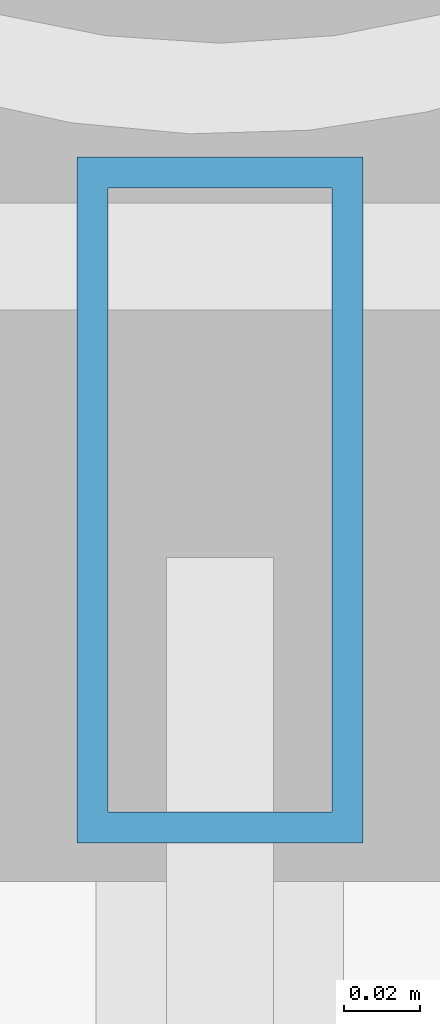
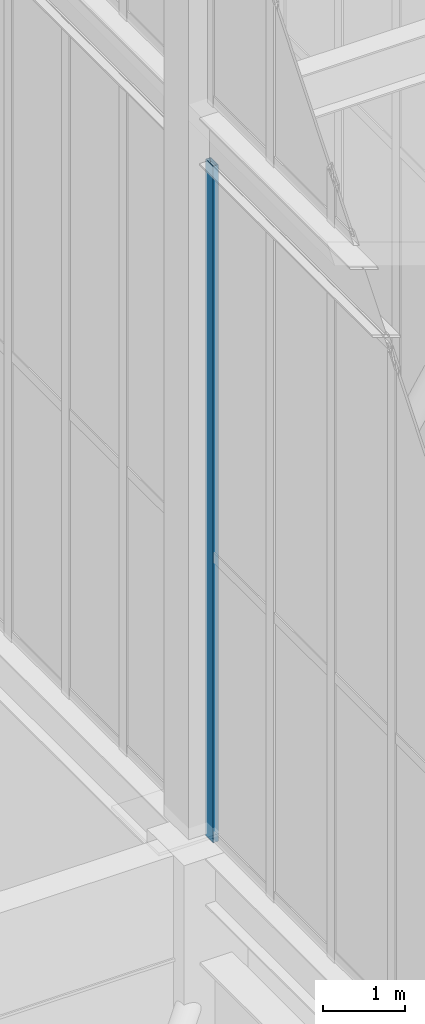
# One storey, part 78 of 135: 1 member, 1 element without a shape of its own.
"""IFC4 building model written with IfcOpenShell, lengths in metres."""

from ifc_helpers import new_model, si_unit, direction, frame, origin, origin_2d, place, context, subcontext, project, spatial, hollow_rectangle, extrude, source, transform, mapped, material, layer, layer_set, material_profile, profile_set, type_object, element, aggregate, save


model = new_model("IFC4")

# Units and contexts
model_context = context("Model", 3, precision=1e-05, world=origin(), true_north=direction((0.0, 1.0)))
body_context = subcontext(model_context, "Body", "Model", "MODEL_VIEW")
ifc_project = project(units=[si_unit("LENGTHUNIT", "METRE"), si_unit("AREAUNIT", "SQUARE_METRE"), si_unit("VOLUMEUNIT", "CUBIC_METRE"), si_unit("PLANEANGLEUNIT", "RADIAN"), si_unit("MASSUNIT", "GRAM", prefix="KILO")], contexts=[model_context])

# Site, building, storey
site_placement = place(None, origin())
site = spatial("IfcSite", under=ifc_project, at=site_placement, CompositionType="ELEMENT")
building_placement = place(site_placement, origin())
building = spatial("IfcBuilding", under=site, at=building_placement, Name="Giltprow Tower", CompositionType="ELEMENT")
storey_placement = place(building_placement, frame((0.0, 0.0, 352.699951171875)))
storey = spatial("IfcBuildingStorey", under=building, at=storey_placement, Name="L92", CompositionType="ELEMENT", Elevation=352.699951171875)

# Curtain wall, member
ifc_material = material(Name="Anodized bronze", Category="metal")
ifc_layer = layer(ifc_material, 0.179931640625, Name="Anodized bronze")
ifc_layer_set = layer_set([ifc_layer], Name="Anodized bronze")
curtain_wall_type = type_object("IfcCurtainWallType", Name="CW-CROWN-LANTERN", PredefinedType="NOTDEFINED", material=ifc_layer_set)
curtain_wall_placement = place(storey_placement, origin())
curtain_wall = element("IfcCurtainWall", 1, at=curtain_wall_placement, inside=storey, type_object=curtain_wall_type, Name="Crown East Lower Lantern Glazing 6", PredefinedType="NOTDEFINED")
ifc_material_profile = material_profile(ifc_material, hollow_rectangle(XDim=0.074951171875, YDim=0.179931640625, WallThickness=0.008056640625, at=origin_2d()), Name="RHS 180x75x8")
ifc_profile_set = profile_set([ifc_material_profile], Name="Anodized bronze")
member_type = type_object("IfcMemberType", Name="CW-MULLION-180x75", PredefinedType="MULLION", material=ifc_profile_set)
shared_shape = source(origin(), body_context, "Body", "SweptSolid", [
    extrude(hollow_rectangle(XDim=0.074951171875, YDim=0.179931640625, WallThickness=0.008056640625, at=origin_2d()), origin(), (0.0, 0.0, 1.0), 10.030029296875),
])
member_placement = place(storey_placement, frame((44.300048828125, 37.10009765625, 6.35009765625), z_axis=(0.0, 0.0, 1.0), x_axis=(1.0, 0.0, 0.0)))
member = element("IfcMember", 2, at=member_placement, type_object=member_type, Name="Crown East Lower Lantern Glazing 6 Mullion 1", PredefinedType="MULLION", context=body_context, shape_type="MappedRepresentation", body=[
    mapped(shared_shape, transform((0.0, 0.0, 0.0), x_axis=(1.0, 0.0, 0.0), y_axis=(0.0, 1.0, 0.0), z_axis=(0.0, 0.0, 1.0), scale=1.0)),
])
aggregate(curtain_wall, [member])

save(model, "model.ifc")
